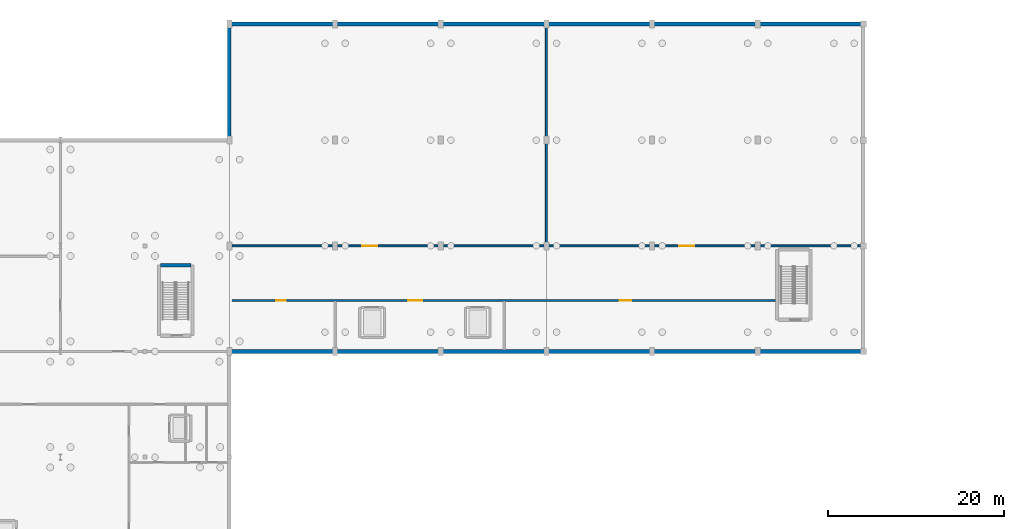
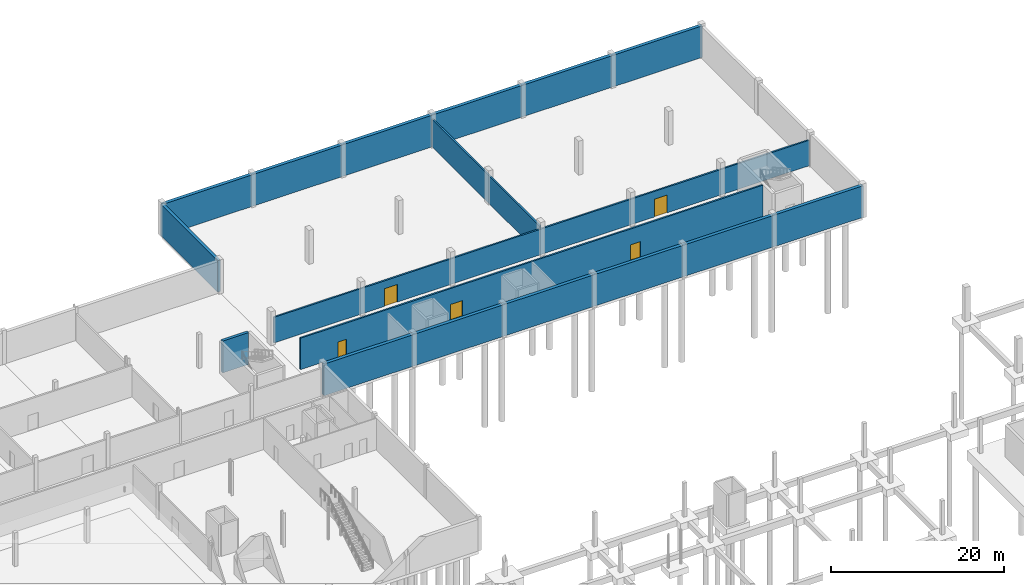
# One storey, part 26 of 31: 7 walls, 5 doors, 5 openings.
"""IFC4 building model written with IfcOpenShell, lengths in metres."""

import ifcopenshell
import ifcopenshell.guid

model = None  # the IFC model being written
_history = None  # IfcOwnerHistory: only IFC2X3 demands one
_inside = {}  # id of a spatial element -> (the spatial element, [elements in it])
_under = {}  # id of a project, library or spatial element -> (it, [spatial elements below it])
_declared = {}  # id of a project -> (the project, [libraries it declares])
_typed = {}  # id of a type object -> (the type object, [elements of that type])
_made_of = {}  # id of a material, layer set ... -> (it, [elements and type objects made of it])


def new_model(schema):
    """Start an empty IFC model of exactly this schema.

    Asked for "IFC4X3", IfcOpenShell would pick the latest addendum, in which some entities
    have other attributes; the version numbers below select the first issue.
    IFC2X3 requires an IfcOwnerHistory on every rooted entity: one is made here for all.
    """
    global model, _history
    if schema == "IFC4X3":
        model = ifcopenshell.file(schema_version=(4, 3, 0, 0))
    else:
        model = ifcopenshell.file(schema=schema)
    _inside.clear()
    _under.clear()
    _declared.clear()
    _typed.clear()
    _made_of.clear()
    _history = None
    if model.schema == "IFC2X3":
        org = make("IfcOrganization", Name="unknown")
        user = make(
            "IfcPersonAndOrganization",
            ThePerson=make("IfcPerson", FamilyName="unknown"),
            TheOrganization=org,
        )
        app = make(
            "IfcApplication",
            ApplicationDeveloper=org,
            Version="unknown",
            ApplicationFullName="unknown",
            ApplicationIdentifier="unknown",
        )
        _history = make(
            "IfcOwnerHistory",
            OwningUser=user,
            OwningApplication=app,
            ChangeAction="ADDED",
            CreationDate=0,
        )
    return model


def make(cls, **values):
    """One entity of the class cls with the attributes given. An attribute that is None is left unset."""
    return model.create_entity(
        cls, **{name: value for name, value in values.items() if value is not None}
    )


def rooted(cls, **values):
    """An entity with a GlobalId (a new one), such as an element, a storey or a relation."""
    return make(cls, GlobalId=ifcopenshell.guid.new(), OwnerHistory=_history, **values)


def si_unit(unit_type, name, prefix=None):
    """IfcSIUnit, for example si_unit("LENGTHUNIT", "METRE", prefix="MILLI")."""
    return make("IfcSIUnit", UnitType=unit_type, Prefix=prefix, Name=name)


def assignment(units):
    """IfcUnitAssignment: the units of a project."""
    return None if units is None else make("IfcUnitAssignment", Units=units)


def point(xyz):
    """IfcCartesianPoint."""
    return None if xyz is None else make("IfcCartesianPoint", Coordinates=xyz)


def direction(xyz):
    """IfcDirection."""
    return None if xyz is None else make("IfcDirection", DirectionRatios=xyz)


def frame(location, z_axis=None, x_axis=None):
    """IfcAxis2Placement3D, a coordinate frame: its origin and axes. An axis left out is left unset."""
    return make(
        "IfcAxis2Placement3D",
        Location=point(location),
        Axis=direction(z_axis),
        RefDirection=direction(x_axis),
    )


def frame_2d(location, x_axis=None):
    """IfcAxis2Placement2D, a coordinate frame in the plane: its origin and x axis."""
    return make(
        "IfcAxis2Placement2D", Location=point(location), RefDirection=direction(x_axis)
    )


def origin():
    """The frame at (0, 0, 0) with its axes left unset."""
    return frame((0.0, 0.0, 0.0))


def place(relative_to, where):
    """IfcLocalPlacement: puts the frame where relative to a parent placement (None: the world)."""
    return make(
        "IfcLocalPlacement", PlacementRelTo=relative_to, RelativePlacement=where
    )


def context(
    kind, dimensions, precision=None, world=None, true_north=None, identifier=None
):
    """IfcGeometricRepresentationContext, for example the 3D "Model" context."""
    return make(
        "IfcGeometricRepresentationContext",
        ContextIdentifier=identifier,
        ContextType=kind,
        CoordinateSpaceDimension=dimensions,
        Precision=precision,
        WorldCoordinateSystem=world,
        TrueNorth=true_north,
    )


def subcontext(parent, identifier, kind, view, scale=None):
    """IfcGeometricRepresentationSubContext, for example "Body" below "Model"."""
    return make(
        "IfcGeometricRepresentationSubContext",
        ContextIdentifier=identifier,
        ContextType=kind,
        ParentContext=parent,
        TargetScale=scale,
        TargetView=view,
    )


def project(units=None, contexts=None):
    """IfcProject with its units and contexts."""
    return rooted(
        "IfcProject",
        Name="project",
        RepresentationContexts=contexts,
        UnitsInContext=assignment(units),
    )


def spatial(cls, under=None, at=None, **own):
    """A site, building, storey or space (cls), placed at a placement, below another one or the project."""
    s = rooted(cls, ObjectPlacement=at, **own)
    if under is not None:
        _under.setdefault(under.id(), (under, []))[1].append(s)
    return s


def profile(cls, at=None, kind="AREA", **sizes):
    """A parametric profile (cls). Its sizes go by their IFC names, for example OverallWidth=200.0."""
    return make(cls, ProfileType=kind, Position=at, **sizes)


def rectangle(**sizes):
    """IfcRectangleProfileDef."""
    return profile("IfcRectangleProfileDef", **sizes)


def extrude(swept, where, along, depth):
    """IfcExtrudedAreaSolid: the profile swept, set in the frame where, extruded along a direction by depth."""
    return make(
        "IfcExtrudedAreaSolid",
        SweptArea=swept,
        Position=where,
        ExtrudedDirection=direction(along),
        Depth=depth,
    )


def shape(context_of_items, identifier, shape_type, items):
    """IfcShapeRepresentation: the items that make up one representation, for example the "Body"."""
    return make(
        "IfcShapeRepresentation",
        ContextOfItems=context_of_items,
        RepresentationIdentifier=identifier,
        RepresentationType=shape_type,
        Items=items,
    )


def material(Name=None, Category=None):
    """IfcMaterial."""
    return make("IfcMaterial", Name=Name, Category=Category)


def layer(
    of_material, thickness, ventilated=None, Name=None, Category=None, Priority=None
):
    """IfcMaterialLayer: one layer of a wall or slab, of a material (None: an air gap)."""
    return make(
        "IfcMaterialLayer",
        Material=of_material,
        LayerThickness=thickness,
        IsVentilated=ventilated,
        Name=Name,
        Category=Category,
        Priority=Priority,
    )


def layer_set(layers, Name=None):
    """IfcMaterialLayerSet."""
    return make("IfcMaterialLayerSet", MaterialLayers=layers, LayerSetName=Name)


def made_of(thing, what):
    """Note that an element or type object is made of a material, layer set ...; save() writes the relation."""
    if what is not None:
        _made_of.setdefault(what.id(), (what, []))[1].append(thing)
    return thing


def type_object(cls, material=None, **own):
    """A type object (cls), such as IfcWallType, which elements share."""
    return made_of(rooted(cls, **own), material)


def element(
    cls,
    number,
    at=None,
    inside=None,
    cuts=None,
    type_object=None,
    material=None,
    context=None,
    identifier="Body",
    shape_type=None,
    held_by="IfcProductDefinitionShape",
    body=None,
    shapes=None,
    **own,
):
    """One element of the class cls, such as IfcWall. Its Tag is "e" and its number.

    at: its placement. inside: the storey or other place that contains it. cuts: it is an
    opening in that element (IfcRelVoidsElement). A single representation is given by context,
    identifier, shape_type and body (its items); several are given by shapes. held_by: the class
    of the entity that holds the representations. save() writes the other relations.
    """
    e = rooted(cls, Tag="e%d" % number, ObjectPlacement=at, **own)
    if body is not None:
        shapes = [shape(context, identifier, shape_type, body)]
    if shapes is not None:
        e.Representation = make(held_by, Representations=shapes)
    if inside is not None:
        _inside.setdefault(inside.id(), (inside, []))[1].append(e)
    if cuts is not None:
        rooted(
            "IfcRelVoidsElement", RelatingBuildingElement=cuts, RelatedOpeningElement=e
        )
    if type_object is not None:
        _typed.setdefault(type_object.id(), (type_object, []))[1].append(e)
    return made_of(e, material)


def fill(opening, filler):
    """IfcRelFillsElement: the door or window that sits in an opening."""
    return rooted(
        "IfcRelFillsElement",
        RelatingOpeningElement=opening,
        RelatedBuildingElement=filler,
    )


def aggregate(whole, parts):
    """IfcRelAggregates: a whole, such as a stair, and the parts it consists of."""
    return rooted("IfcRelAggregates", RelatingObject=whole, RelatedObjects=parts)


def save(model, path):
    """Write the relations noted so far, then the file.

    IfcRelAggregates (storeys below a building ...), IfcRelContainedInSpatialStructure (elements
    in a storey), IfcRelDefinesByType, IfcRelAssociatesMaterial and IfcRelDeclares: one each for
    every whole, place, type object, material and project.
    """
    for whole, parts in _under.values():
        aggregate(whole, parts)
    for where, things in _inside.values():
        rooted(
            "IfcRelContainedInSpatialStructure",
            RelatedElements=things,
            RelatingStructure=where,
        )
    for kind, things in _typed.values():
        rooted("IfcRelDefinesByType", RelatedObjects=things, RelatingType=kind)
    for what, things in _made_of.values():
        rooted("IfcRelAssociatesMaterial", RelatedObjects=things, RelatingMaterial=what)
    for by, libraries in _declared.values():
        rooted("IfcRelDeclares", RelatingContext=by, RelatedDefinitions=libraries)
    model.write(path)


model = new_model("IFC4")

# Units and contexts
model_context = context("Model", 3, precision=1e-05, world=origin(), true_north=direction((0.0, 1.0)))
body_context = subcontext(model_context, "Body", "Model", "MODEL_VIEW")
ifc_project = project(units=[si_unit("LENGTHUNIT", "METRE"), si_unit("AREAUNIT", "SQUARE_METRE"), si_unit("VOLUMEUNIT", "CUBIC_METRE"), si_unit("PLANEANGLEUNIT", "RADIAN"), si_unit("MASSUNIT", "GRAM", prefix="KILO")], contexts=[model_context])

# Site, building, storey
site_placement = place(None, origin())
site = spatial("IfcSite", under=ifc_project, at=site_placement, CompositionType="ELEMENT")
building_placement = place(site_placement, origin())
building = spatial("IfcBuilding", under=site, at=building_placement, Name="Merenkruunu Market Hall", CompositionType="ELEMENT")
storey_placement = place(building_placement, frame((0.0, 0.0, -4.800048828125)))
storey = spatial("IfcBuildingStorey", under=building, at=storey_placement, Name="B1", CompositionType="ELEMENT", Elevation=-4.800048828125)

# Walls
ifc_material_1 = material(Name="Concrete C35/45", Category="concrete")
ifc_layer_1 = layer(ifc_material_1, 0.43994140625)
ifc_layer_set_1 = layer_set([ifc_layer_1], Name="Concrete C35/45")
wall_type_1 = type_object("IfcWallType", Name="Basement Retaining Wall RW01", PredefinedType="USERDEFINED", material=ifc_layer_set_1)
for number, where, z_axis, x_axis, name in (
    (1, (76.800048828125, 87.60009765625, 0.0), (0.0, 0.0, 1.0), (1.0, 0.0, 0.0), "WALL-B1-RW-03"),
    (2, (148.800048828125, 124.800048828125, 0.0), (0.0, 0.0, 1.0), (-1.0, 0.0, 0.0), "WALL-B1-RW-05"),
):
    element("IfcWall", number, at=place(storey_placement, frame(where, z_axis=z_axis, x_axis=x_axis)), inside=storey, type_object=wall_type_1, Name=name, ObjectType="RETAININGWALL", PredefinedType="USERDEFINED", context=body_context, shape_type="SweptSolid", body=[
        extrude(rectangle(XDim=72.0, YDim=0.43994140625, at=frame_2d((36.0, 0.0))), origin(), (0.0, 0.0, 1.0), 4.4599609375),
    ])
ifc_layer_2 = layer(ifc_material_1, 0.39990234375)
ifc_layer_set_2 = layer_set([ifc_layer_2], Name="Concrete C35/45")
wall_type_2 = type_object("IfcWallType", Name="Basement Retaining Wall RW02", PredefinedType="USERDEFINED", material=ifc_layer_set_2)
wall_1_placement = place(storey_placement, frame((76.800048828125, 124.800048828125, 0.0), z_axis=(0.0, 0.0, 1.0), x_axis=(0.0, -1.0, 0.0)))
element("IfcWall", 3, at=wall_1_placement, inside=storey, type_object=wall_type_2, Name="WALL-B1-RW-06", ObjectType="RETAININGWALL", PredefinedType="USERDEFINED", context=body_context, shape_type="SweptSolid", body=[
    extrude(rectangle(XDim=13.199951171875, YDim=0.39990234375, at=frame_2d((6.60009765625, 0.0))), origin(), (0.0, 0.0, 1.0), 4.4599609375),
])

# Wall, openings, doors
ifc_material_2 = material(Name="Acoustic mineral wool panel")
ifc_layer_3 = layer(ifc_material_2, 0.219970703125)
ifc_layer_set_3 = layer_set([ifc_layer_3], Name="Acoustic mineral wool panel")
wall_type_3 = type_object("IfcWallType", Name="Interior Partition Wall FW01", PredefinedType="PARTITIONING", material=ifc_layer_set_3)
wall_2_placement = place(storey_placement, frame((77.10009765625, 93.39990234375, 0.0), z_axis=(0.0, 0.0, 1.0), x_axis=(1.0, 0.0, 0.0)))
wall_2 = element("IfcWall", 4, at=wall_2_placement, inside=storey, type_object=wall_type_3, Name="WALL-INT-B1-0015", PredefinedType="PARTITIONING", context=body_context, shape_type="SweptSolid", body=[
    extrude(rectangle(XDim=61.718017578125, YDim=0.219970703125, at=frame_2d((30.85888671875, 0.0))), origin(), (0.0, 0.0, 1.0), 4.43994140625),
])
opening_1_placement = place(wall_2_placement, frame((5.0, 0.0, 0.0)))
opening_1 = element("IfcOpeningElement", 5, at=opening_1_placement, cuts=wall_2, Name="Opening FD02", PredefinedType="OPENING", context=body_context, shape_type="SweptSolid", body=[
    extrude(rectangle(XDim=1.10009765625, YDim=2.14990234375, at=frame_2d((0.550048828125, 1.074951171875))), frame((0.0, 0.1201171875, 0.0), z_axis=(0.0, -1.0, 0.0), x_axis=(1.0, 0.0, 0.0)), (0.0, 0.0, 1.0), 0.239990234375),
])
opening_2_placement = place(wall_2_placement, frame((20.0, 0.0, 0.0)))
opening_2 = element("IfcOpeningElement", 6, at=opening_2_placement, cuts=wall_2, Name="Opening FD05", PredefinedType="OPENING", context=body_context, shape_type="SweptSolid", body=[
    extrude(rectangle(XDim=1.60009765625, YDim=2.199951171875, at=frame_2d((0.800048828125, 1.10009765625))), frame((0.0, 0.1201171875, 0.0), z_axis=(0.0, -1.0, 0.0), x_axis=(1.0, 0.0, 0.0)), (0.0, 0.0, 1.0), 0.239990234375),
])
opening_3_placement = place(wall_2_placement, frame((44.0, 0.0, 0.0)))
opening_3 = element("IfcOpeningElement", 7, at=opening_3_placement, cuts=wall_2, Name="Opening FD09", PredefinedType="OPENING", context=body_context, shape_type="SweptSolid", body=[
    extrude(rectangle(XDim=1.35009765625, YDim=2.199951171875, at=frame_2d((0.675048828125, 1.10009765625))), frame((0.0, 0.1201171875, 0.0), z_axis=(0.0, -1.0, 0.0), x_axis=(1.0, 0.0, 0.0)), (0.0, 0.0, 1.0), 0.239990234375),
])
ifc_material_3 = material(Name="Powder-coated aluminium", Category="aluminium")
door_type_1 = type_object("IfcDoorType", Name="Fire Compartment Door FD02", OperationType="NOTDEFINED", PredefinedType="DOOR", material=ifc_material_3)
door_1_placement = place(opening_1_placement, origin())
door_1 = element("IfcDoor", 8, at=door_1_placement, inside=storey, type_object=door_type_1, Name="DR-B1-022", OperationType="SINGLE_SWING_LEFT", OverallHeight=2.14990234375, OverallWidth=1.10009765625, PredefinedType="DOOR", context=body_context, shape_type="SweptSolid", body=[
    extrude(rectangle(XDim=1.10009765625, YDim=2.14990234375, at=frame_2d((0.550048828125, 1.074951171875))), frame((0.0, 0.02490234375, 0.0), z_axis=(0.0, -1.0, 0.0), x_axis=(1.0, 0.0, 0.0)), (0.0, 0.0, 1.0), 0.050048828125),
])
fill(opening_1, door_1)
door_type_2 = type_object("IfcDoorType", Name="Fire Compartment Door FD05", OperationType="NOTDEFINED", PredefinedType="DOOR", material=ifc_material_3)
door_2_placement = place(opening_2_placement, origin())
door_2 = element("IfcDoor", 9, at=door_2_placement, inside=storey, type_object=door_type_2, Name="DR-B1-023", OperationType="SINGLE_SWING_RIGHT", OverallHeight=2.199951171875, OverallWidth=1.60009765625, PredefinedType="DOOR", context=body_context, shape_type="SweptSolid", body=[
    extrude(rectangle(XDim=1.60009765625, YDim=2.199951171875, at=frame_2d((0.800048828125, 1.10009765625))), frame((0.0, 0.02490234375, 0.0), z_axis=(0.0, -1.0, 0.0), x_axis=(1.0, 0.0, 0.0)), (0.0, 0.0, 1.0), 0.050048828125),
])
fill(opening_2, door_2)
door_type_3 = type_object("IfcDoorType", Name="Fire Compartment Door FD09", OperationType="NOTDEFINED", PredefinedType="DOOR", material=ifc_material_3)
door_3_placement = place(opening_3_placement, origin())
door_3 = element("IfcDoor", 10, at=door_3_placement, inside=storey, type_object=door_type_3, Name="DR-B1-024", OperationType="SINGLE_SWING_LEFT", OverallHeight=2.199951171875, OverallWidth=1.35009765625, PredefinedType="DOOR", context=body_context, shape_type="SweptSolid", body=[
    extrude(rectangle(XDim=1.35009765625, YDim=2.199951171875, at=frame_2d((0.675048828125, 1.10009765625))), frame((0.0, 0.02490234375, 0.0), z_axis=(0.0, -1.0, 0.0), x_axis=(1.0, 0.0, 0.0)), (0.0, 0.0, 1.0), 0.050048828125),
])
fill(opening_3, door_3)

wall_3_placement = place(storey_placement, frame((77.10009765625, 99.60009765625, 0.0), z_axis=(0.0, 0.0, 1.0), x_axis=(1.0, 0.0, 0.0)))
wall_3 = element("IfcWall", 11, at=wall_3_placement, inside=storey, type_object=wall_type_3, Name="WALL-INT-B1-0018", PredefinedType="PARTITIONING", context=body_context, shape_type="SweptSolid", body=[
    extrude(rectangle(XDim=71.497802734375, YDim=0.219970703125, at=frame_2d((35.7490234375, 0.0))), origin(), (0.0, 0.0, 1.0), 3.60498046875),
])
opening_4_placement = place(wall_3_placement, frame((14.800048828125, 0.0, 0.0)))
opening_4 = element("IfcOpeningElement", 12, at=opening_4_placement, cuts=wall_3, Name="Opening CSD02", PredefinedType="OPENING", context=body_context, shape_type="SweptSolid", body=[
    extrude(rectangle(XDim=1.699951171875, YDim=2.5, at=frame_2d((0.85009765625, 1.25))), frame((0.0, 0.1201171875, 0.0), z_axis=(0.0, -1.0, 0.0), x_axis=(1.0, 0.0, 0.0)), (0.0, 0.0, 1.0), 0.239990234375),
])
opening_5_placement = place(wall_3_placement, frame((50.800048828125, 0.0, 0.0)))
opening_5 = element("IfcOpeningElement", 13, at=opening_5_placement, cuts=wall_3, Name="Opening CSD02", PredefinedType="OPENING", context=body_context, shape_type="SweptSolid", body=[
    extrude(rectangle(XDim=1.699951171875, YDim=2.5, at=frame_2d((0.85009765625, 1.25))), frame((0.0, 0.1201171875, 0.0), z_axis=(0.0, -1.0, 0.0), x_axis=(1.0, 0.0, 0.0)), (0.0, 0.0, 1.0), 0.239990234375),
])
ifc_material_4 = material(Name="Brushed stainless steel", Category="steel")
door_type_4 = type_object("IfcDoorType", Name="Cold Store Sliding Door CSD02", OperationType="NOTDEFINED", PredefinedType="DOOR", material=ifc_material_4)
door_4_placement = place(opening_4_placement, origin())
door_4 = element("IfcDoor", 14, at=door_4_placement, inside=storey, type_object=door_type_4, Name="DR-B1-025", OperationType="SLIDING_TO_RIGHT", OverallHeight=2.5, OverallWidth=1.699951171875, PredefinedType="DOOR", context=body_context, shape_type="SweptSolid", body=[
    extrude(rectangle(XDim=1.699951171875, YDim=2.5, at=frame_2d((0.85009765625, 1.25))), frame((0.0, 0.02490234375, 0.0), z_axis=(0.0, -1.0, 0.0), x_axis=(1.0, 0.0, 0.0)), (0.0, 0.0, 1.0), 0.050048828125),
])
fill(opening_4, door_4)
door_5_placement = place(opening_5_placement, origin())
door_5 = element("IfcDoor", 15, at=door_5_placement, inside=storey, type_object=door_type_4, Name="DR-B1-026", OperationType="SLIDING_TO_RIGHT", OverallHeight=2.5, OverallWidth=1.699951171875, PredefinedType="DOOR", context=body_context, shape_type="SweptSolid", body=[
    extrude(rectangle(XDim=1.699951171875, YDim=2.5, at=frame_2d((0.85009765625, 1.25))), frame((0.0, 0.02490234375, 0.0), z_axis=(0.0, -1.0, 0.0), x_axis=(1.0, 0.0, 0.0)), (0.0, 0.0, 1.0), 0.050048828125),
])
fill(opening_5, door_5)

# Walls
wall_4_placement = place(storey_placement, frame((112.800048828125, 99.7119140625, 0.0), z_axis=(0.0, 0.0, 1.0), x_axis=(0.0, 1.0, 0.0)))
element("IfcWall", 16, at=wall_4_placement, inside=storey, type_object=wall_type_3, Name="WALL-INT-B1-0019", PredefinedType="PARTITIONING", context=body_context, shape_type="SweptSolid", body=[
    extrude(rectangle(XDim=24.865966796875, YDim=0.219970703125, at=frame_2d((12.43310546875, 0.0))), origin(), (0.0, 0.0, 1.0), 3.9150390625),
])
ifc_layer_4 = layer(ifc_material_1, 0.360107421875)
ifc_layer_set_4 = layer_set([ifc_layer_4], Name="Concrete C35/45")
wall_type_4 = type_object("IfcWallType", Name="Structural Shear Wall SW01", PredefinedType="SHEAR", material=ifc_layer_set_4)
wall_5_placement = place(storey_placement, frame((72.419921875, 97.39990234375, 0.0), z_axis=(0.0, 0.0, 1.0), x_axis=(-1.0, 0.0, 0.0)))
element("IfcWall", 17, at=wall_5_placement, inside=storey, type_object=wall_type_4, Name="WALL-CORE-K4-B1-N", PredefinedType="SHEAR", context=body_context, shape_type="SweptSolid", body=[
    extrude(rectangle(XDim=3.43994140625, YDim=0.360107421875, at=frame_2d((1.719970703125, 0.0))), origin(), (0.0, 0.0, 1.0), 4.5),
])

save(model, "model.ifc")
